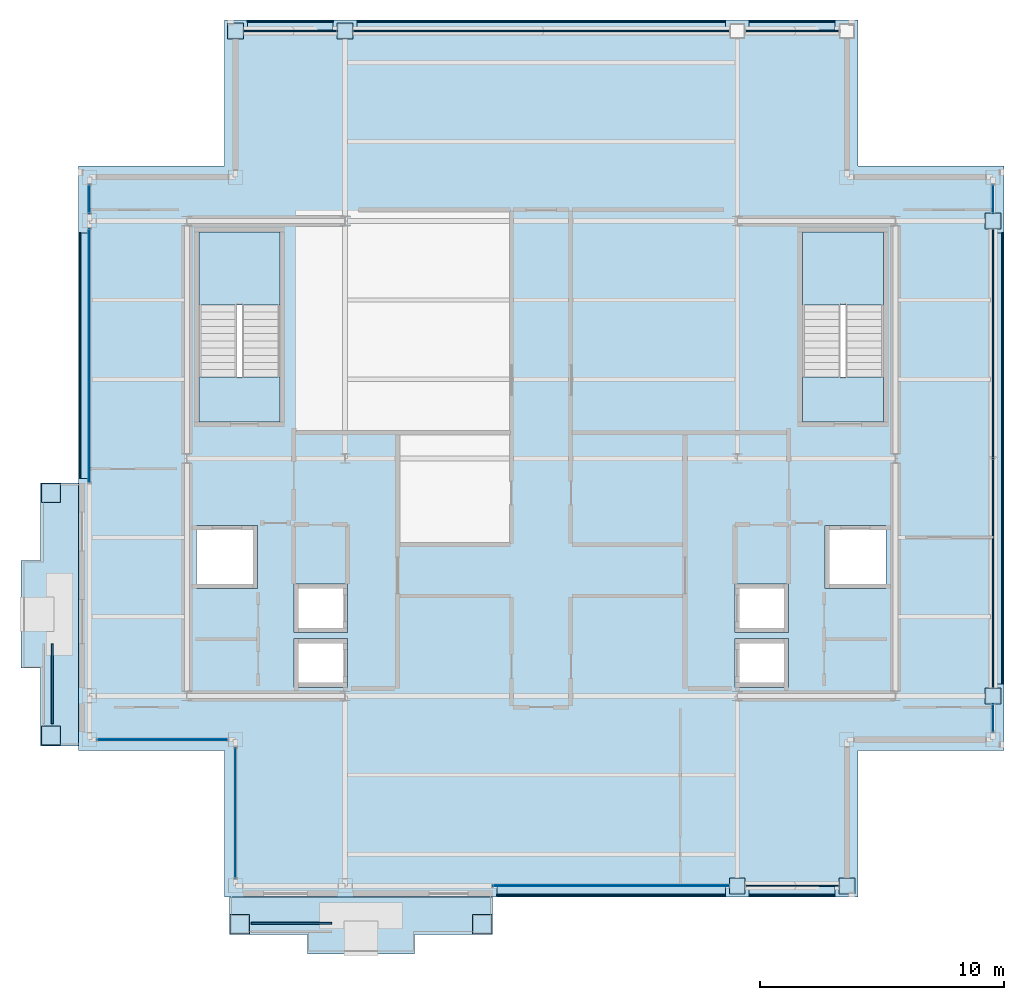
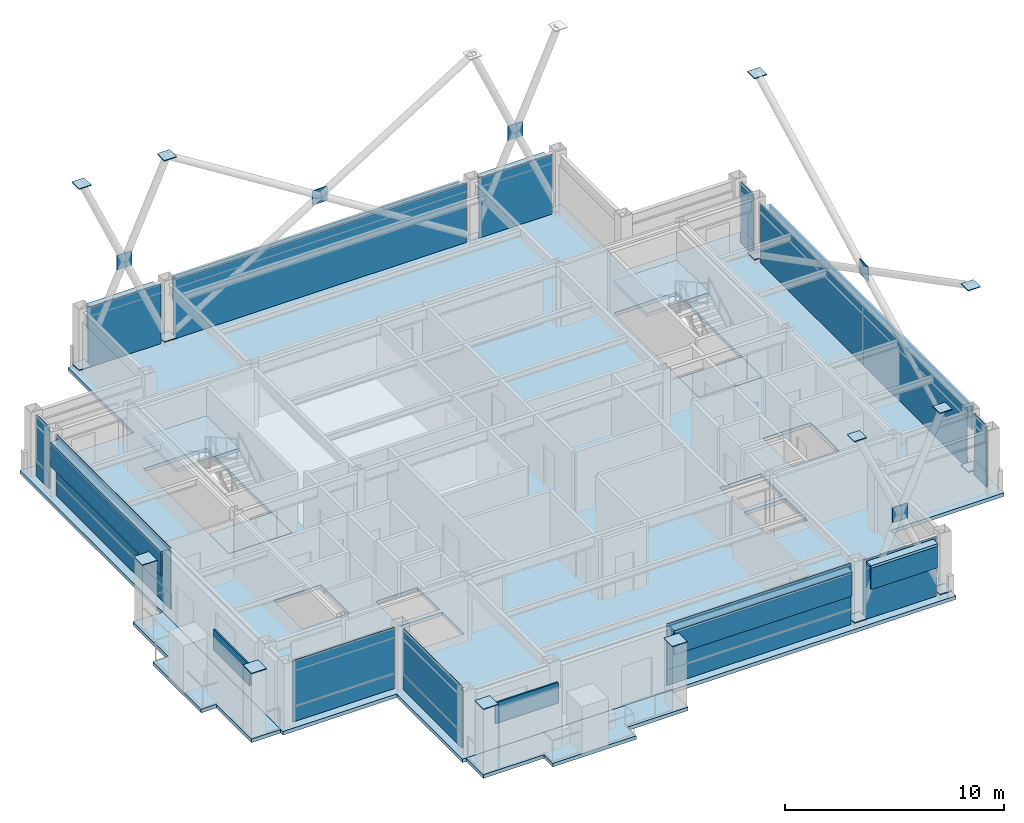
# One storey, part 21 of 27: 57 plates, 7 slabs, 14 elements without a shape of their own.
"""IFC4 building model written with IfcOpenShell, lengths in metres."""

from ifc_helpers import new_model, si_unit, direction, frame, origin, origin_2d, place, context, subcontext, project, spatial, polyline, rectangle, outline, extrude, material, layer, layer_set, type_object, element, aggregate, save


model = new_model("IFC4")

# Units and contexts
model_context = context("Model", 3, precision=1e-05, world=origin(), true_north=direction((0.0, 1.0)))
body_context = subcontext(model_context, "Body", "Model", "MODEL_VIEW")
ifc_project = project(units=[si_unit("LENGTHUNIT", "METRE"), si_unit("AREAUNIT", "SQUARE_METRE"), si_unit("VOLUMEUNIT", "CUBIC_METRE"), si_unit("PLANEANGLEUNIT", "RADIAN"), si_unit("MASSUNIT", "GRAM", prefix="KILO")], contexts=[model_context])

# Site, building, storey
site_placement = place(None, origin())
site = spatial("IfcSite", under=ifc_project, at=site_placement, CompositionType="ELEMENT")
building_placement = place(site_placement, origin())
building = spatial("IfcBuilding", under=site, at=building_placement, Name="Brelmoor Portico Tower", CompositionType="ELEMENT")
storey_placement = place(building_placement, frame((0.0, 0.0, 258.0)))
storey = spatial("IfcBuildingStorey", under=building, at=storey_placement, Name="L68", CompositionType="ELEMENT", Elevation=258.0)

# Plates
ifc_material_1 = material(Name="Steel Q355B", Category="steel")
ifc_layer_1 = layer(ifc_material_1, 0.044921875)
ifc_layer_set_1 = layer_set([ifc_layer_1], Name="Steel Q355B")
plate_type_1 = type_object("IfcPlateType", Name="PT-CAP-650", PredefinedType="SHEET", material=ifc_layer_set_1)
for number, where, z_axis, x_axis, name in (
    (1, (-12.3798828125, -19.1298828125, 3.60009765625), (0.0, 0.0, 1.0), (1.0, 0.0, 0.0), "L68 Proud Picture-Frame Pier PFJ-S1 Welded Head Cap Plate"),
    (2, (-2.419921875, -19.1298828125, 3.60009765625), (0.0, 0.0, 1.0), (1.0, 0.0, 0.0), "L68 Proud Picture-Frame Pier PFJ-S2 Welded Head Cap Plate"),
    (3, (-20.1298828125, -11.3798828125, 3.60009765625), (0.0, 0.0, 1.0), (0.0, 1.0, 0.0), "L68 Proud Picture-Frame Pier PFJ-W1 Welded Head Cap Plate"),
    (4, (-20.1298828125, -1.419921875, 3.60009765625), (0.0, 0.0, 1.0), (0.0, 1.0, 0.0), "L68 Proud Picture-Frame Pier PFJ-W2 Welded Head Cap Plate"),
):
    element("IfcPlate", number, at=place(storey_placement, frame(where, z_axis=z_axis, x_axis=x_axis)), inside=storey, type_object=plate_type_1, Name=name, PredefinedType="SHEET", context=body_context, shape_type="SweptSolid", body=[
        extrude(rectangle(XDim=0.7900390625, YDim=0.7900390625, at=origin_2d()), origin(), (0.0, 0.0, 1.0), 0.0400390625),
    ])
for number, where, z_axis, x_axis, name in (
    (5, (8.050048828125, -17.550048828125, 0.2275390625), (0.0, 0.0, 1.0), (1.0, 0.0, 0.0), "L68 Continuous Mega-X Brace 150A Joint Cap Plate 1"),
    (6, (12.550048828125, -17.550048828125, 10.32763671875), (0.0, 0.0, 1.0), (1.0, 0.0, 0.0), "L68 Continuous Mega-X Brace 150A Joint Cap Plate 2"),
    (7, (12.550048828125, -17.550048828125, 0.2275390625), (0.0, 0.0, 1.0), (1.0, 0.0, 0.0), "L68 Split Mega-X Brace 150B1 Joint Cap Plate 1"),
    (8, (8.050048828125, -17.550048828125, 10.32763671875), (0.0, 0.0, 1.0), (1.0, 0.0, 0.0), "L68 Split Mega-X Brace 150B2 Joint Cap Plate 2"),
    (9, (-12.550048828125, 17.550048828125, 0.2275390625), (0.0, 0.0, 1.0), (1.0, 0.0, 0.0), "L68 Continuous Mega-X Brace 151A Joint Cap Plate 1"),
    (10, (-8.050048828125, 17.550048828125, 10.32763671875), (0.0, 0.0, 1.0), (1.0, 0.0, 0.0), "L68 Continuous Mega-X Brace 151A Joint Cap Plate 2"),
    (11, (-8.050048828125, 17.550048828125, 0.2275390625), (0.0, 0.0, 1.0), (1.0, 0.0, 0.0), "L68 Split Mega-X Brace 151B1 Joint Cap Plate 1"),
    (12, (-12.550048828125, 17.550048828125, 10.32763671875), (0.0, 0.0, 1.0), (1.0, 0.0, 0.0), "L68 Split Mega-X Brace 151B2 Joint Cap Plate 2"),
    (13, (18.550048828125, -9.75, 0.2275390625), (0.0, 0.0, 1.0), (1.0, 0.0, 0.0), "L68 Continuous Mega-X Brace 154A Joint Cap Plate 1"),
    (14, (18.550048828125, 9.75, 10.32763671875), (0.0, 0.0, 1.0), (1.0, 0.0, 0.0), "L68 Continuous Mega-X Brace 154A Joint Cap Plate 2"),
    (15, (18.550048828125, 9.75, 0.2275390625), (0.0, 0.0, 1.0), (1.0, 0.0, 0.0), "L68 Split Mega-X Brace 154B1 Joint Cap Plate 1"),
    (16, (18.550048828125, -9.75, 10.32763671875), (0.0, 0.0, 1.0), (1.0, 0.0, 0.0), "L68 Split Mega-X Brace 154B2 Joint Cap Plate 2"),
):
    element("IfcPlate", number, at=place(storey_placement, frame(where, z_axis=z_axis, x_axis=x_axis)), inside=storey, type_object=plate_type_1, Name=name, PredefinedType="SHEET", context=body_context, shape_type="SweptSolid", body=[
        extrude(rectangle(XDim=0.64990234375, YDim=0.64990234375, at=origin_2d()), origin(), (0.0, 0.0, 1.0), 0.044921875),
    ])

# Curtain wall, plate
ifc_material_2 = material(Name="Anodised Aluminium Alloy 6063-T6", Category="aluminium")
ifc_layer_2 = layer(ifc_material_2, 0.179931640625)
ifc_layer_set_2 = layer_set([ifc_layer_2], Name="Anodised Aluminium Alloy 6063-T6")
curtain_wall_type_1 = type_object("IfcCurtainWallType", Name="CW-TOWER-Z4", PredefinedType="NOTDEFINED", material=ifc_layer_set_2)
curtain_wall_1_placement = place(storey_placement, origin())
curtain_wall_1 = element("IfcCurtainWall", 17, at=curtain_wall_1_placement, inside=storey, type_object=curtain_wall_type_1, Name="L68 Curtain Wall CW-L68-1R-1", PredefinedType="NOTDEFINED")
ifc_material_3 = material(Name="Double-Silver Low-E Insulated Glazing", Category="glass")
ifc_layer_3 = layer(ifc_material_3, 0.035888671875)
ifc_layer_set_3 = layer_set([ifc_layer_3], Name="Double-Silver Low-E Insulated Glazing")
plate_type_2 = type_object("IfcPlateType", Name="PT-CW-GLASS", PredefinedType="CURTAIN_PANEL", material=ifc_layer_set_3)
plate_1_placement = place(storey_placement, frame((2.8701171875, -17.550048828125, 0.85009765625), z_axis=(0.0, 0.0, 1.0), x_axis=(1.0, 0.0, 0.0)))
plate_1 = element("IfcPlate", 18, at=plate_1_placement, type_object=plate_type_2, Name="CW-L68-1R-1 Vision Glass Panel 00", PredefinedType="CURTAIN_PANEL", context=body_context, shape_type="SweptSolid", body=[
    extrude(rectangle(XDim=9.7099609375, YDim=0.035888671875, at=origin_2d()), origin(), (0.0, 0.0, 1.0), 2.550048828125),
])

curtain_wall_2_placement = place(storey_placement, origin())
curtain_wall_2 = element("IfcCurtainWall", 19, at=curtain_wall_2_placement, inside=storey, type_object=curtain_wall_type_1, Name="L68 Curtain Wall CW-L68-3R-1", PredefinedType="NOTDEFINED")
plate_2_placement = place(storey_placement, frame((-18.550048828125, 4.219970703125, 0.85009765625), z_axis=(0.0, 0.0, 1.0), x_axis=(0.0, 1.0, 0.0)))
plate_2 = element("IfcPlate", 20, at=plate_2_placement, type_object=plate_type_2, Name="CW-L68-3R-1 Vision Glass Panel 00", PredefinedType="CURTAIN_PANEL", context=body_context, shape_type="SweptSolid", body=[
    extrude(rectangle(XDim=10.409912109375, YDim=0.035888671875, at=origin_2d()), origin(), (0.0, 0.0, 1.0), 2.550048828125),
])

curtain_wall_3_placement = place(storey_placement, origin())
curtain_wall_3 = element("IfcCurtainWall", 21, at=curtain_wall_3_placement, inside=storey, type_object=curtain_wall_type_1, Name="L68 Curtain Wall CW-L68-3R-2", PredefinedType="NOTDEFINED")
plate_3_placement = place(storey_placement, frame((-18.550048828125, 10.64990234375, 0.85009765625), z_axis=(0.0, 0.0, 1.0), x_axis=(0.0, 1.0, 0.0)))
plate_3 = element("IfcPlate", 22, at=plate_3_placement, type_object=plate_type_2, Name="CW-L68-3R-2 Vision Glass Panel 00", PredefinedType="CURTAIN_PANEL", context=body_context, shape_type="SweptSolid", body=[
    extrude(rectangle(XDim=1.14990234375, YDim=0.035888671875, at=origin_2d()), origin(), (0.0, 0.0, 1.0), 2.550048828125),
])

curtain_wall_4_placement = place(storey_placement, origin())
curtain_wall_4 = element("IfcCurtainWall", 23, at=curtain_wall_4_placement, inside=storey, type_object=curtain_wall_type_1, Name="L68 Curtain Wall CW-L68-04-1", PredefinedType="NOTDEFINED")
plate_4_placement = place(storey_placement, frame((18.550048828125, -10.64990234375, 0.85009765625), z_axis=(0.0, 0.0, 1.0), x_axis=(0.0, 1.0, 0.0)))
plate_4 = element("IfcPlate", 24, at=plate_4_placement, type_object=plate_type_2, Name="CW-L68-04-1 Vision Glass Panel 00", PredefinedType="CURTAIN_PANEL", context=body_context, shape_type="SweptSolid", body=[
    extrude(rectangle(XDim=1.14990234375, YDim=0.035888671875, at=origin_2d()), origin(), (0.0, 0.0, 1.0), 2.550048828125),
])

curtain_wall_5_placement = place(storey_placement, origin())
curtain_wall_5 = element("IfcCurtainWall", 25, at=curtain_wall_5_placement, inside=storey, type_object=curtain_wall_type_1, Name="L68 Curtain Wall CW-L68-04-3", PredefinedType="NOTDEFINED")
plate_5_placement = place(storey_placement, frame((18.550048828125, 10.64990234375, 0.85009765625), z_axis=(0.0, 0.0, 1.0), x_axis=(0.0, 1.0, 0.0)))
plate_5 = element("IfcPlate", 26, at=plate_5_placement, type_object=plate_type_2, Name="CW-L68-04-3 Vision Glass Panel 00", PredefinedType="CURTAIN_PANEL", context=body_context, shape_type="SweptSolid", body=[
    extrude(rectangle(XDim=1.14990234375, YDim=0.035888671875, at=origin_2d()), origin(), (0.0, 0.0, 1.0), 2.550048828125),
])

ifc_layer_4 = layer(ifc_material_2, 0.179931640625)
ifc_layer_set_4 = layer_set([ifc_layer_4], Name="Anodised Aluminium Alloy 6063-T6")
curtain_wall_type_2 = type_object("IfcCurtainWallType", Name="CW-NOTCH-CHAMFER", PredefinedType="NOTDEFINED", material=ifc_layer_set_4)
curtain_wall_6_placement = place(storey_placement, origin())
curtain_wall_6 = element("IfcCurtainWall", 27, at=curtain_wall_6_placement, inside=storey, type_object=curtain_wall_type_2, Name="L68 Curtain Wall CWN-L68-SWH", PredefinedType="NOTDEFINED")
plate_6_placement = place(storey_placement, frame((-15.550048828125, -11.550048828125, 0.85009765625), z_axis=(0.0, 0.0, 1.0), x_axis=(1.0, 0.0, 0.0)))
plate_6 = element("IfcPlate", 28, at=plate_6_placement, type_object=plate_type_2, Name="CWN-L68-SWH Vision Glass Panel 00", PredefinedType="CURTAIN_PANEL", context=body_context, shape_type="SweptSolid", body=[
    extrude(rectangle(XDim=5.35009765625, YDim=0.035888671875, at=origin_2d()), origin(), (0.0, 0.0, 1.0), 2.550048828125),
])

curtain_wall_7_placement = place(storey_placement, origin())
curtain_wall_7 = element("IfcCurtainWall", 29, at=curtain_wall_7_placement, inside=storey, type_object=curtain_wall_type_2, Name="L68 Curtain Wall CWN-L68-SWV", PredefinedType="NOTDEFINED")
plate_7_placement = place(storey_placement, frame((-12.550048828125, -14.550048828125, 0.85009765625), z_axis=(0.0, 0.0, 1.0), x_axis=(0.0, 1.0, 0.0)))
plate_7 = element("IfcPlate", 30, at=plate_7_placement, type_object=plate_type_2, Name="CWN-L68-SWV Vision Glass Panel 00", PredefinedType="CURTAIN_PANEL", context=body_context, shape_type="SweptSolid", body=[
    extrude(rectangle(XDim=5.35009765625, YDim=0.035888671875, at=origin_2d()), origin(), (0.0, 0.0, 1.0), 2.550048828125),
])

# Plate
ifc_material_4 = material(Name="Pale Champagne Anodised Aluminium Panel", Category="aluminium")
ifc_layer_5 = layer(ifc_material_4, 0.050048828125)
ifc_layer_set_5 = layer_set([ifc_layer_5], Name="Pale Champagne Anodised Aluminium Panel")
plate_type_3 = type_object("IfcPlateType", Name="PT-CW-SPANDREL", PredefinedType="SHEET", material=ifc_layer_set_5)
plate_8_placement = place(storey_placement, frame((2.8701171875, -17.550048828125, 0.0), z_axis=(0.0, 0.0, 1.0), x_axis=(1.0, 0.0, 0.0)))
plate_8 = element("IfcPlate", 31, at=plate_8_placement, type_object=plate_type_3, Name="CW-L68-1R-1 Spandrel Panel 00", PredefinedType="SHEET", context=body_context, shape_type="SweptSolid", body=[
    extrude(rectangle(XDim=9.7099609375, YDim=0.050048828125, at=origin_2d()), origin(), (0.0, 0.0, 1.0), 0.85009765625),
])

aggregate(curtain_wall_1, [plate_8, plate_1])

# Curtain wall, plate
ifc_layer_6 = layer(ifc_material_2, 0.179931640625)
ifc_layer_set_6 = layer_set([ifc_layer_6], Name="Anodised Aluminium Alloy 6063-T6")
curtain_wall_type_3 = type_object("IfcCurtainWallType", Name="CW-TOWER-Z4-XB", PredefinedType="NOTDEFINED", material=ifc_layer_set_6)
curtain_wall_8_placement = place(storey_placement, origin())
curtain_wall_8 = element("IfcCurtainWall", 32, at=curtain_wall_8_placement, inside=storey, type_object=curtain_wall_type_3, Name="L68 Curtain Wall CW-L68-1R-2", PredefinedType="NOTDEFINED")
plate_9_placement = place(storey_placement, frame((10.300048828125, -17.550048828125, 0.0), z_axis=(0.0, 0.0, 1.0), x_axis=(1.0, 0.0, 0.0)))
plate_9 = element("IfcPlate", 33, at=plate_9_placement, type_object=plate_type_3, Name="CW-L68-1R-2 Spandrel Panel 00", PredefinedType="SHEET", context=body_context, shape_type="SweptSolid", body=[
    extrude(rectangle(XDim=3.85009765625, YDim=0.050048828125, at=origin_2d()), origin(), (0.0, 0.0, 1.0), 3.33740234375),
])
aggregate(curtain_wall_8, [plate_9])

curtain_wall_9_placement = place(storey_placement, origin())
curtain_wall_9 = element("IfcCurtainWall", 34, at=curtain_wall_9_placement, inside=storey, type_object=curtain_wall_type_3, Name="L68 Curtain Wall CW-L68-02-1", PredefinedType="NOTDEFINED")
plate_10_placement = place(storey_placement, frame((-10.300048828125, 17.550048828125, 0.0), z_axis=(0.0, 0.0, 1.0), x_axis=(1.0, 0.0, 0.0)))
plate_10 = element("IfcPlate", 35, at=plate_10_placement, type_object=plate_type_3, Name="CW-L68-02-1 Spandrel Panel 00", PredefinedType="SHEET", context=body_context, shape_type="SweptSolid", body=[
    extrude(rectangle(XDim=3.85009765625, YDim=0.050048828125, at=origin_2d()), origin(), (0.0, 0.0, 1.0), 3.33740234375),
])
aggregate(curtain_wall_9, [plate_10])

curtain_wall_10_placement = place(storey_placement, origin())
curtain_wall_10 = element("IfcCurtainWall", 36, at=curtain_wall_10_placement, inside=storey, type_object=curtain_wall_type_3, Name="L68 Curtain Wall CW-L68-02-2", PredefinedType="NOTDEFINED")
plate_11_placement = place(storey_placement, frame((0.0, 17.550048828125, 0.0), z_axis=(0.0, 0.0, 1.0), x_axis=(1.0, 0.0, 0.0)))
plate_11 = element("IfcPlate", 37, at=plate_11_placement, type_object=plate_type_3, Name="CW-L68-02-2 Spandrel Panel 00", PredefinedType="SHEET", context=body_context, shape_type="SweptSolid", body=[
    extrude(rectangle(XDim=15.449951171875, YDim=0.050048828125, at=origin_2d()), origin(), (0.0, 0.0, 1.0), 3.33740234375),
])
aggregate(curtain_wall_10, [plate_11])

curtain_wall_11_placement = place(storey_placement, origin())
curtain_wall_11 = element("IfcCurtainWall", 38, at=curtain_wall_11_placement, inside=storey, type_object=curtain_wall_type_3, Name="L68 Curtain Wall CW-L68-02-3", PredefinedType="NOTDEFINED")
plate_12_placement = place(storey_placement, frame((10.300048828125, 17.550048828125, 0.0), z_axis=(0.0, 0.0, 1.0), x_axis=(1.0, 0.0, 0.0)))
plate_12 = element("IfcPlate", 39, at=plate_12_placement, type_object=plate_type_3, Name="CW-L68-02-3 Spandrel Panel 00", PredefinedType="SHEET", context=body_context, shape_type="SweptSolid", body=[
    extrude(rectangle(XDim=3.85009765625, YDim=0.050048828125, at=origin_2d()), origin(), (0.0, 0.0, 1.0), 3.33740234375),
])
aggregate(curtain_wall_11, [plate_12])

# Plate
plate_13_placement = place(storey_placement, frame((-18.550048828125, 4.219970703125, 0.0), z_axis=(0.0, 0.0, 1.0), x_axis=(0.0, 1.0, 0.0)))
plate_13 = element("IfcPlate", 40, at=plate_13_placement, type_object=plate_type_3, Name="CW-L68-3R-1 Spandrel Panel 00", PredefinedType="SHEET", context=body_context, shape_type="SweptSolid", body=[
    extrude(rectangle(XDim=10.409912109375, YDim=0.050048828125, at=origin_2d()), origin(), (0.0, 0.0, 1.0), 0.85009765625),
])

aggregate(curtain_wall_2, [plate_13, plate_2])

plate_14_placement = place(storey_placement, frame((-18.550048828125, 10.64990234375, 0.0), z_axis=(0.0, 0.0, 1.0), x_axis=(0.0, 1.0, 0.0)))
plate_14 = element("IfcPlate", 41, at=plate_14_placement, type_object=plate_type_3, Name="CW-L68-3R-2 Spandrel Panel 00", PredefinedType="SHEET", context=body_context, shape_type="SweptSolid", body=[
    extrude(rectangle(XDim=1.14990234375, YDim=0.050048828125, at=origin_2d()), origin(), (0.0, 0.0, 1.0), 0.85009765625),
])

aggregate(curtain_wall_3, [plate_14, plate_3])

plate_15_placement = place(storey_placement, frame((18.550048828125, -10.64990234375, 0.0), z_axis=(0.0, 0.0, 1.0), x_axis=(0.0, 1.0, 0.0)))
plate_15 = element("IfcPlate", 42, at=plate_15_placement, type_object=plate_type_3, Name="CW-L68-04-1 Spandrel Panel 00", PredefinedType="SHEET", context=body_context, shape_type="SweptSolid", body=[
    extrude(rectangle(XDim=1.14990234375, YDim=0.050048828125, at=origin_2d()), origin(), (0.0, 0.0, 1.0), 0.85009765625),
])

aggregate(curtain_wall_4, [plate_15, plate_4])

# Curtain wall, plates
curtain_wall_12_placement = place(storey_placement, origin())
curtain_wall_12 = element("IfcCurtainWall", 43, at=curtain_wall_12_placement, inside=storey, type_object=curtain_wall_type_3, Name="L68 Curtain Wall CW-L68-04-2", PredefinedType="NOTDEFINED")
plate_16_placement = place(storey_placement, frame((18.550048828125, -4.719970703125, 0.0), z_axis=(0.0, 0.0, 1.0), x_axis=(0.0, 1.0, 0.0)))
plate_16 = element("IfcPlate", 44, at=plate_16_placement, type_object=plate_type_3, Name="CW-L68-04-2 Spandrel Panel 00", PredefinedType="SHEET", context=body_context, shape_type="SweptSolid", body=[
    extrude(rectangle(XDim=9.409912109375, YDim=0.050048828125, at=origin_2d()), origin(), (0.0, 0.0, 1.0), 3.33740234375),
])
plate_17_placement = place(storey_placement, frame((18.550048828125, 4.719970703125, 0.0), z_axis=(0.0, 0.0, 1.0), x_axis=(0.0, 1.0, 0.0)))
plate_17 = element("IfcPlate", 45, at=plate_17_placement, type_object=plate_type_3, Name="CW-L68-04-2 Spandrel Panel 01", PredefinedType="SHEET", context=body_context, shape_type="SweptSolid", body=[
    extrude(rectangle(XDim=9.409912109375, YDim=0.050048828125, at=origin_2d()), origin(), (0.0, 0.0, 1.0), 3.33740234375),
])
aggregate(curtain_wall_12, [plate_16, plate_17])

# Plate
plate_18_placement = place(storey_placement, frame((18.550048828125, 10.64990234375, 0.0), z_axis=(0.0, 0.0, 1.0), x_axis=(0.0, 1.0, 0.0)))
plate_18 = element("IfcPlate", 46, at=plate_18_placement, type_object=plate_type_3, Name="CW-L68-04-3 Spandrel Panel 00", PredefinedType="SHEET", context=body_context, shape_type="SweptSolid", body=[
    extrude(rectangle(XDim=1.14990234375, YDim=0.050048828125, at=origin_2d()), origin(), (0.0, 0.0, 1.0), 0.85009765625),
])

aggregate(curtain_wall_5, [plate_18, plate_5])

plate_19_placement = place(storey_placement, frame((-15.550048828125, -11.550048828125, 0.0), z_axis=(0.0, 0.0, 1.0), x_axis=(1.0, 0.0, 0.0)))
plate_19 = element("IfcPlate", 47, at=plate_19_placement, type_object=plate_type_3, Name="CWN-L68-SWH Spandrel Panel 00", PredefinedType="SHEET", context=body_context, shape_type="SweptSolid", body=[
    extrude(rectangle(XDim=5.35009765625, YDim=0.050048828125, at=origin_2d()), origin(), (0.0, 0.0, 1.0), 0.85009765625),
])

aggregate(curtain_wall_6, [plate_19, plate_6])

plate_20_placement = place(storey_placement, frame((-12.550048828125, -14.550048828125, 0.0), z_axis=(0.0, 0.0, 1.0), x_axis=(0.0, 1.0, 0.0)))
plate_20 = element("IfcPlate", 48, at=plate_20_placement, type_object=plate_type_3, Name="CWN-L68-SWV Spandrel Panel 00", PredefinedType="SHEET", context=body_context, shape_type="SweptSolid", body=[
    extrude(rectangle(XDim=5.35009765625, YDim=0.050048828125, at=origin_2d()), origin(), (0.0, 0.0, 1.0), 0.85009765625),
])

aggregate(curtain_wall_7, [plate_20, plate_7])

# Plates
ifc_layer_7 = layer(ifc_material_1, 0.050048828125)
ifc_layer_set_7 = layer_set([ifc_layer_7], Name="Steel Q355B")
plate_type_4 = type_object("IfcPlateType", Name="PT-GUSSET-800", PredefinedType="USERDEFINED", material=ifc_layer_set_7)
for number, where, z_axis, x_axis, name in (
    (49, (10.300048828125, -17.550048828125, 4.89990234375), (0.0, 0.0, 1.0), (1.0, 0.0, 0.0), "L68 Perimeter Mega-Brace Gusset 150"),
    (50, (-10.300048828125, 17.550048828125, 4.89990234375), (0.0, 0.0, 1.0), (1.0, 0.0, 0.0), "L68 Perimeter Mega-Brace Gusset 151"),
    (51, (0.0, 17.550048828125, 4.89990234375), (0.0, 0.0, 1.0), (1.0, 0.0, 0.0), "L68 Perimeter Mega-Brace Gusset 152"),
    (52, (10.300048828125, 17.550048828125, 4.89990234375), (0.0, 0.0, 1.0), (1.0, 0.0, 0.0), "L68 Perimeter Mega-Brace Gusset 153"),
):
    element("IfcPlate", number, at=place(storey_placement, frame(where, z_axis=z_axis, x_axis=x_axis)), inside=storey, type_object=plate_type_4, Name=name, ObjectType="GUSSET PLATE", PredefinedType="USERDEFINED", context=body_context, shape_type="SweptSolid", body=[
        extrude(rectangle(XDim=0.800048828125, YDim=0.050048828125, at=origin_2d()), origin(), (0.0, 0.0, 1.0), 0.800048828125),
    ])
plate_21_placement = place(storey_placement, frame((18.550048828125, 0.0, 4.89990234375), z_axis=(0.0, 0.0, 1.0), x_axis=(1.0, 0.0, 0.0)))
element("IfcPlate", 53, at=plate_21_placement, inside=storey, type_object=plate_type_4, Name="L68 Perimeter Mega-Brace Gusset 154", ObjectType="GUSSET PLATE", PredefinedType="USERDEFINED", context=body_context, shape_type="SweptSolid", body=[
    extrude(rectangle(XDim=0.050048828125, YDim=0.800048828125, at=origin_2d()), origin(), (0.0, 0.0, 1.0), 0.800048828125),
])
ifc_material_5 = material(Name="Powder-Coated Aluminium Shuttered Jalousie Louvre", Category="aluminium")
ifc_layer_8 = layer(ifc_material_5, 0.06005859375)
ifc_layer_set_8 = layer_set([ifc_layer_8], Name="Powder-Coated Aluminium Shuttered Jalousie Louvre")
plate_type_5 = type_object("IfcPlateType", Name="PT-JALOUSIE-SHUTTER", PredefinedType="SHEET", material=ifc_layer_set_8)
plate_22_placement = place(storey_placement, frame((2.8701171875, -17.929931640625, 1.8740234375), z_axis=(0.0, 0.0, 1.0), x_axis=(1.0, 0.0, 0.0)))
element("IfcPlate", 54, at=plate_22_placement, inside=storey, type_object=plate_type_5, Name="CW-L68-1R-1 Perforated Jalousie Solar Screen", PredefinedType="SHEET", context=body_context, shape_type="SweptSolid", body=[
    extrude(rectangle(XDim=9.3798828125, YDim=0.06494140625, at=origin_2d()), origin(), (0.0, 0.0, 1.0), 1.325927734375),
])
plate_23_placement = place(storey_placement, frame((10.300048828125, -17.929931640625, 1.8740234375), z_axis=(0.0, 0.0, 1.0), x_axis=(1.0, 0.0, 0.0)))
element("IfcPlate", 55, at=plate_23_placement, inside=storey, type_object=plate_type_5, Name="CW-L68-1R-2 Perforated Jalousie Solar Screen", PredefinedType="SHEET", context=body_context, shape_type="SweptSolid", body=[
    extrude(rectangle(XDim=3.52001953125, YDim=0.06494140625, at=origin_2d()), origin(), (0.0, 0.0, 1.0), 1.325927734375),
])
plate_24_placement = place(storey_placement, frame((-10.25, -19.080078125, 2.275146484375), z_axis=(0.0, 0.0, 1.0), x_axis=(1.0, 0.0, 0.0)))
element("IfcPlate", 56, at=plate_24_placement, inside=storey, type_object=plate_type_5, Name="L68 Shuttered Veranda Screen S", PredefinedType="SHEET", context=body_context, shape_type="SweptSolid", body=[
    extrude(rectangle(XDim=3.300048828125, YDim=0.080078125, at=origin_2d()), origin(), (0.0, 0.0, 1.0), 1.14990234375),
])
plate_25_placement = place(storey_placement, frame((-10.300048828125, 17.929931640625, 1.8740234375), z_axis=(0.0, 0.0, 1.0), x_axis=(1.0, 0.0, 0.0)))
element("IfcPlate", 57, at=plate_25_placement, inside=storey, type_object=plate_type_5, Name="CW-L68-02-1 Perforated Jalousie Solar Screen", PredefinedType="SHEET", context=body_context, shape_type="SweptSolid", body=[
    extrude(rectangle(XDim=3.52001953125, YDim=0.06494140625, at=origin_2d()), origin(), (0.0, 0.0, 1.0), 1.325927734375),
])
plate_26_placement = place(storey_placement, frame((0.0, 17.929931640625, 1.8740234375), z_axis=(0.0, 0.0, 1.0), x_axis=(1.0, 0.0, 0.0)))
element("IfcPlate", 58, at=plate_26_placement, inside=storey, type_object=plate_type_5, Name="CW-L68-02-2 Perforated Jalousie Solar Screen", PredefinedType="SHEET", context=body_context, shape_type="SweptSolid", body=[
    extrude(rectangle(XDim=15.1201171875, YDim=0.06494140625, at=origin_2d()), origin(), (0.0, 0.0, 1.0), 1.325927734375),
])
plate_27_placement = place(storey_placement, frame((10.300048828125, 17.929931640625, 1.8740234375), z_axis=(0.0, 0.0, 1.0), x_axis=(1.0, 0.0, 0.0)))
element("IfcPlate", 59, at=plate_27_placement, inside=storey, type_object=plate_type_5, Name="CW-L68-02-3 Perforated Jalousie Solar Screen", PredefinedType="SHEET", context=body_context, shape_type="SweptSolid", body=[
    extrude(rectangle(XDim=3.52001953125, YDim=0.06494140625, at=origin_2d()), origin(), (0.0, 0.0, 1.0), 1.325927734375),
])
plate_28_placement = place(storey_placement, frame((-18.929931640625, 4.219970703125, 1.8740234375), z_axis=(0.0, 0.0, 1.0), x_axis=(0.0, 1.0, 0.0)))
element("IfcPlate", 60, at=plate_28_placement, inside=storey, type_object=plate_type_5, Name="CW-L68-3R-1 Perforated Jalousie Solar Screen", PredefinedType="SHEET", context=body_context, shape_type="SweptSolid", body=[
    extrude(rectangle(XDim=10.080078125, YDim=0.06494140625, at=origin_2d()), origin(), (0.0, 0.0, 1.0), 1.325927734375),
])
plate_29_placement = place(storey_placement, frame((-20.080078125, -9.25, 2.275146484375), z_axis=(0.0, 0.0, 1.0), x_axis=(0.0, 1.0, 0.0)))
element("IfcPlate", 61, at=plate_29_placement, inside=storey, type_object=plate_type_5, Name="L68 Shuttered Veranda Screen W", PredefinedType="SHEET", context=body_context, shape_type="SweptSolid", body=[
    extrude(rectangle(XDim=3.300048828125, YDim=0.080078125, at=origin_2d()), origin(), (0.0, 0.0, 1.0), 1.14990234375),
])
plate_30_placement = place(storey_placement, frame((18.929931640625, 0.0, 1.8740234375), z_axis=(0.0, 0.0, 1.0), x_axis=(0.0, 1.0, 0.0)))
element("IfcPlate", 62, at=plate_30_placement, inside=storey, type_object=plate_type_5, Name="CW-L68-04-2 Perforated Jalousie Solar Screen", PredefinedType="SHEET", context=body_context, shape_type="SweptSolid", body=[
    extrude(rectangle(XDim=18.52001953125, YDim=0.06494140625, at=origin_2d()), origin(), (0.0, 0.0, 1.0), 1.325927734375),
])
ifc_material_6 = material(Name="Pale Champagne Perforated Aluminium Solar Screen", Category="aluminium")
ifc_layer_9 = layer(ifc_material_6, 0.054931640625)
ifc_layer_set_9 = layer_set([ifc_layer_9], Name="Pale Champagne Perforated Aluminium Solar Screen")
plate_type_6 = type_object("IfcPlateType", Name="PT-SOLAR-LOUVRE", PredefinedType="SHEET", material=ifc_layer_set_9)
plate_31_placement = place(storey_placement, frame((2.8701171875, -17.760009765625, 3.08984375), z_axis=(0.0, 0.0, 1.0), x_axis=(1.0, 0.0, 0.0)))
element("IfcPlate", 63, at=plate_31_placement, inside=storey, type_object=plate_type_6, Name="CW-L68-1R-1 Caribbean Brise-Soleil Solar Screen", PredefinedType="SHEET", context=body_context, shape_type="SweptSolid", body=[
    extrude(rectangle(XDim=9.3798828125, YDim=0.4599609375, at=origin_2d()), origin(), (0.0, 0.0, 1.0), 0.139892578125),
])
for number, where, z_axis, x_axis, name in (
    (64, (10.300048828125, -17.760009765625, 3.08984375), (0.0, 0.0, 1.0), (1.0, 0.0, 0.0), "CW-L68-1R-2 Caribbean Brise-Soleil Solar Screen"),
    (65, (-10.300048828125, 17.760009765625, 3.08984375), (0.0, 0.0, 1.0), (1.0, 0.0, 0.0), "CW-L68-02-1 Caribbean Brise-Soleil Solar Screen"),
):
    element("IfcPlate", number, at=place(storey_placement, frame(where, z_axis=z_axis, x_axis=x_axis)), inside=storey, type_object=plate_type_6, Name=name, PredefinedType="SHEET", context=body_context, shape_type="SweptSolid", body=[
        extrude(rectangle(XDim=3.52001953125, YDim=0.4599609375, at=origin_2d()), origin(), (0.0, 0.0, 1.0), 0.139892578125),
    ])
plate_32_placement = place(storey_placement, frame((0.0, 17.760009765625, 3.08984375), z_axis=(0.0, 0.0, 1.0), x_axis=(1.0, 0.0, 0.0)))
element("IfcPlate", 66, at=plate_32_placement, inside=storey, type_object=plate_type_6, Name="CW-L68-02-2 Caribbean Brise-Soleil Solar Screen", PredefinedType="SHEET", context=body_context, shape_type="SweptSolid", body=[
    extrude(rectangle(XDim=15.1201171875, YDim=0.4599609375, at=origin_2d()), origin(), (0.0, 0.0, 1.0), 0.139892578125),
])
plate_33_placement = place(storey_placement, frame((10.300048828125, 17.760009765625, 3.08984375), z_axis=(0.0, 0.0, 1.0), x_axis=(1.0, 0.0, 0.0)))
element("IfcPlate", 67, at=plate_33_placement, inside=storey, type_object=plate_type_6, Name="CW-L68-02-3 Caribbean Brise-Soleil Solar Screen", PredefinedType="SHEET", context=body_context, shape_type="SweptSolid", body=[
    extrude(rectangle(XDim=3.52001953125, YDim=0.4599609375, at=origin_2d()), origin(), (0.0, 0.0, 1.0), 0.139892578125),
])
plate_34_placement = place(storey_placement, frame((-18.760009765625, 4.219970703125, 3.08984375), z_axis=(0.0, 0.0, 1.0), x_axis=(0.0, 1.0, 0.0)))
element("IfcPlate", 68, at=plate_34_placement, inside=storey, type_object=plate_type_6, Name="CW-L68-3R-1 Caribbean Brise-Soleil Solar Screen", PredefinedType="SHEET", context=body_context, shape_type="SweptSolid", body=[
    extrude(rectangle(XDim=10.080078125, YDim=0.4599609375, at=origin_2d()), origin(), (0.0, 0.0, 1.0), 0.139892578125),
])
plate_35_placement = place(storey_placement, frame((18.760009765625, 0.0, 3.08984375), z_axis=(0.0, 0.0, 1.0), x_axis=(0.0, 1.0, 0.0)))
element("IfcPlate", 69, at=plate_35_placement, inside=storey, type_object=plate_type_6, Name="CW-L68-04-2 Caribbean Brise-Soleil Solar Screen", PredefinedType="SHEET", context=body_context, shape_type="SweptSolid", body=[
    extrude(rectangle(XDim=18.52001953125, YDim=0.4599609375, at=origin_2d()), origin(), (0.0, 0.0, 1.0), 0.139892578125),
])

# Slabs
ifc_material_7 = material(Name="Concrete C40", Category="concrete")
ifc_layer_10 = layer(ifc_material_7, 0.199951171875)
ifc_layer_set_10 = layer_set([ifc_layer_10], Name="Concrete C40")
slab_type_1 = type_object("IfcSlabType", Name="SL-BALCONY-200", PredefinedType="FLOOR", material=ifc_layer_set_10)
slab_1_placement = place(storey_placement, frame((0.0, 0.0, -0.199951171875)))
element("IfcSlab", 70, at=slab_1_placement, inside=storey, type_object=slab_type_1, Name="L68 Loggia Tree Balcony Slab S", PredefinedType="FLOOR", context=body_context, shape_type="SweptSolid", body=[
    extrude(outline(polyline([(-12.800048828125, -19.550048828125), (-9.60009765625, -19.550048828125), (-9.60009765625, -20.35009765625), (-5.199951171875, -20.35009765625), (-5.199951171875, -19.550048828125), (-2.0, -19.550048828125), (-2.0, -18.0), (-12.800048828125, -18.0), (-12.800048828125, -19.550048828125)])), origin(), (0.0, 0.0, 1.0), 0.199951171875),
])
slab_2_placement = place(storey_placement, frame((0.0, 0.0, -0.199951171875)))
element("IfcSlab", 71, at=slab_2_placement, inside=storey, type_object=slab_type_1, Name="L68 Loggia Tree Balcony Slab W", PredefinedType="FLOOR", context=body_context, shape_type="SweptSolid", body=[
    extrude(outline(polyline([(-20.550048828125, -11.800048828125), (-19.0, -11.800048828125), (-19.0, -1.0), (-20.550048828125, -1.0), (-20.550048828125, -4.199951171875), (-21.35009765625, -4.199951171875), (-21.35009765625, -8.60009765625), (-20.550048828125, -8.60009765625), (-20.550048828125, -11.800048828125)])), origin(), (0.0, 0.0, 1.0), 0.199951171875),
])
ifc_layer_11 = layer(ifc_material_7, 0.199951171875)
ifc_layer_set_11 = layer_set([ifc_layer_11], Name="Concrete C40")
slab_type_2 = type_object("IfcSlabType", Name="SL-FLOOR-200", PredefinedType="FLOOR", material=ifc_layer_set_11)
slab_3_placement = place(storey_placement, frame((0.0, 0.0, -0.199951171875)))
element("IfcSlab", 72, at=slab_3_placement, inside=storey, type_object=slab_type_2, Name="L68 Main Structural Floor Slab", PredefinedType="FLOOR", context=body_context, shape_type="SweptSolid", body=[
    extrude(outline(polyline([(-13.0, -18.0), (13.0, -18.0), (13.0, -12.0), (19.0, -12.0), (19.0, 12.0), (13.0, 12.0), (13.0, 18.0), (-13.0, 18.0), (-13.0, 12.0), (-19.0, 12.0), (-19.0, -12.0), (-13.0, -12.0), (-13.0, -18.0)]), holes=[polyline([(-10.72998046875, 1.5), (-10.72998046875, 9.300048828125), (-14.050048828125, 9.300048828125), (-14.050048828125, 1.5), (-10.72998046875, 1.5)]), polyline([(14.050048828125, 1.5), (14.050048828125, 9.300048828125), (10.72998046875, 9.300048828125), (10.72998046875, 1.5), (14.050048828125, 1.5)]), polyline([(-10.14990234375, -9.39990234375), (-7.949951171875, -9.39990234375), (-7.949951171875, -7.39990234375), (-10.14990234375, -7.39990234375), (-10.14990234375, -9.39990234375)]), polyline([(-10.14990234375, -7.14990234375), (-7.949951171875, -7.14990234375), (-7.949951171875, -5.14990234375), (-10.14990234375, -5.14990234375), (-10.14990234375, -7.14990234375)]), polyline([(7.949951171875, -9.39990234375), (10.14990234375, -9.39990234375), (10.14990234375, -7.39990234375), (7.949951171875, -7.39990234375), (7.949951171875, -9.39990234375)]), polyline([(7.949951171875, -7.14990234375), (10.14990234375, -7.14990234375), (10.14990234375, -5.14990234375), (7.949951171875, -5.14990234375), (7.949951171875, -7.14990234375)]), polyline([(-14.14990234375, -5.35009765625), (-11.64990234375, -5.35009765625), (-11.64990234375, -2.75), (-14.14990234375, -2.75), (-14.14990234375, -5.35009765625)]), polyline([(11.64990234375, -5.35009765625), (14.14990234375, -5.35009765625), (14.14990234375, -2.75), (11.64990234375, -2.75), (11.64990234375, -5.35009765625)])]), origin(), (0.0, 0.0, 1.0), 0.199951171875),
])

# Stair, slab
stair_type_1 = type_object("IfcStairType", Name="ST-CORE-W", PredefinedType="HALF_TURN_STAIR", material=ifc_material_7)
stair_1_placement = place(storey_placement, origin())
stair_1 = element("IfcStair", 73, at=stair_1_placement, inside=storey, type_object=stair_type_1, Name="L68 Protected Core Exit Stair ST-W", PredefinedType="HALF_TURN_STAIR")
ifc_layer_12 = layer(ifc_material_7, 0.179931640625)
ifc_layer_set_12 = layer_set([ifc_layer_12], Name="Concrete C40")
slab_type_3 = type_object("IfcSlabType", Name="SL-LANDING-180", PredefinedType="LANDING", material=ifc_layer_set_12)
slab_4_placement = place(storey_placement, frame((0.0, 0.0, 1.60009765625)))
slab_4 = element("IfcSlab", 74, at=slab_4_placement, type_object=slab_type_3, Name="ST-W landing 1", PredefinedType="LANDING", context=body_context, shape_type="SweptSolid", body=[
    extrude(outline(polyline([(-10.72998046875, 6.300048828125), (-10.72998046875, 9.300048828125), (-14.050048828125, 9.300048828125), (-14.050048828125, 6.300048828125), (-10.72998046875, 6.300048828125)])), origin(), (0.0, 0.0, 1.0), 0.199951171875),
])
aggregate(stair_1, [slab_4])

stair_type_2 = type_object("IfcStairType", Name="ST-CORE-E", PredefinedType="HALF_TURN_STAIR", material=ifc_material_7)
stair_2_placement = place(storey_placement, origin())
stair_2 = element("IfcStair", 75, at=stair_2_placement, inside=storey, type_object=stair_type_2, Name="L68 Protected Core Exit Stair ST-E", PredefinedType="HALF_TURN_STAIR")
slab_5_placement = place(storey_placement, frame((0.0, 0.0, 1.60009765625)))
slab_5 = element("IfcSlab", 76, at=slab_5_placement, type_object=slab_type_3, Name="ST-E landing 1", PredefinedType="LANDING", context=body_context, shape_type="SweptSolid", body=[
    extrude(outline(polyline([(14.050048828125, 6.300048828125), (14.050048828125, 9.300048828125), (10.72998046875, 9.300048828125), (10.72998046875, 6.300048828125), (14.050048828125, 6.300048828125)])), origin(), (0.0, 0.0, 1.0), 0.199951171875),
])
aggregate(stair_2, [slab_5])

# Slabs
ifc_layer_13 = layer(ifc_material_7, 0.199951171875)
ifc_layer_set_13 = layer_set([ifc_layer_13], Name="Concrete C40")
slab_type_4 = type_object("IfcSlabType", Name="SL-STAIR-FL200", PredefinedType="LANDING", material=ifc_layer_set_13)
slab_6_placement = place(storey_placement, frame((0.0, 0.0, -0.199951171875)))
element("IfcSlab", 77, at=slab_6_placement, inside=storey, type_object=slab_type_4, Name="L68 ST-W Structural Floor Landing Slab", PredefinedType="LANDING", context=body_context, shape_type="SweptSolid", body=[
    extrude(outline(polyline([(-10.72998046875, 1.5), (-10.72998046875, 3.35009765625), (-14.050048828125, 3.35009765625), (-14.050048828125, 1.5), (-10.72998046875, 1.5)])), origin(), (0.0, 0.0, 1.0), 0.199951171875),
])
slab_7_placement = place(storey_placement, frame((0.0, 0.0, -0.199951171875)))
element("IfcSlab", 78, at=slab_7_placement, inside=storey, type_object=slab_type_4, Name="L68 ST-E Structural Floor Landing Slab", PredefinedType="LANDING", context=body_context, shape_type="SweptSolid", body=[
    extrude(outline(polyline([(14.050048828125, 1.5), (14.050048828125, 3.35009765625), (10.72998046875, 3.35009765625), (10.72998046875, 1.5), (14.050048828125, 1.5)])), origin(), (0.0, 0.0, 1.0), 0.199951171875),
])

save(model, "model.ifc")
